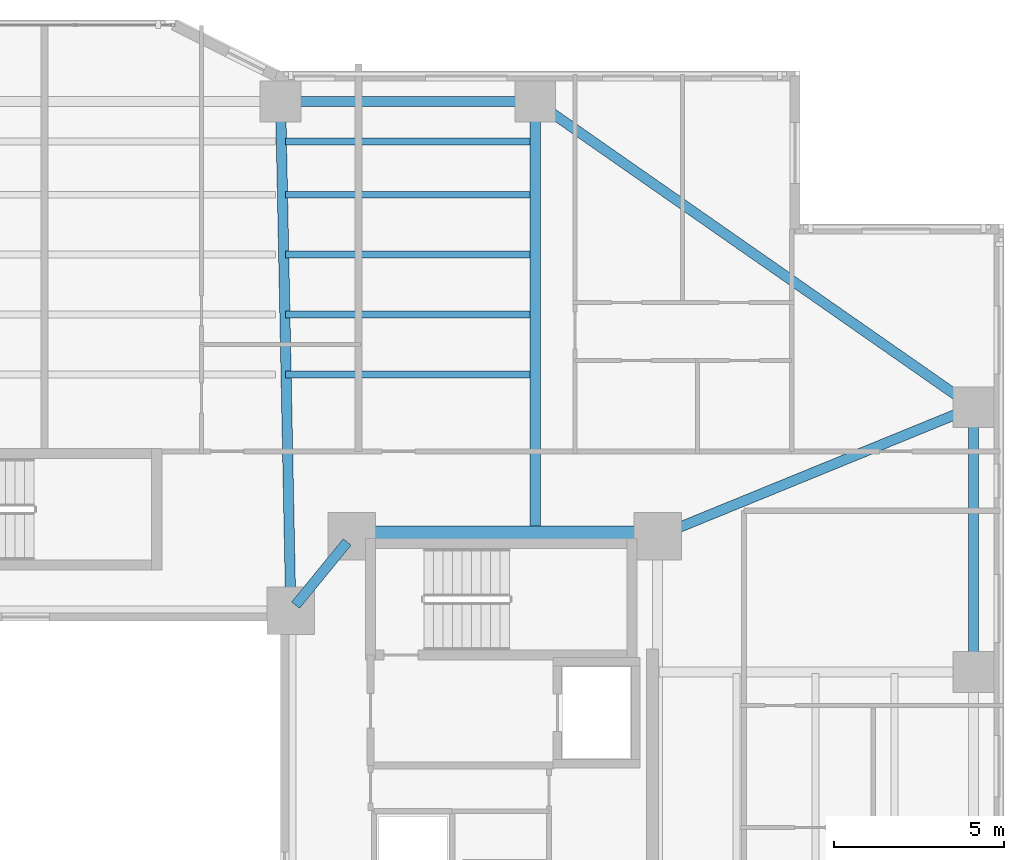
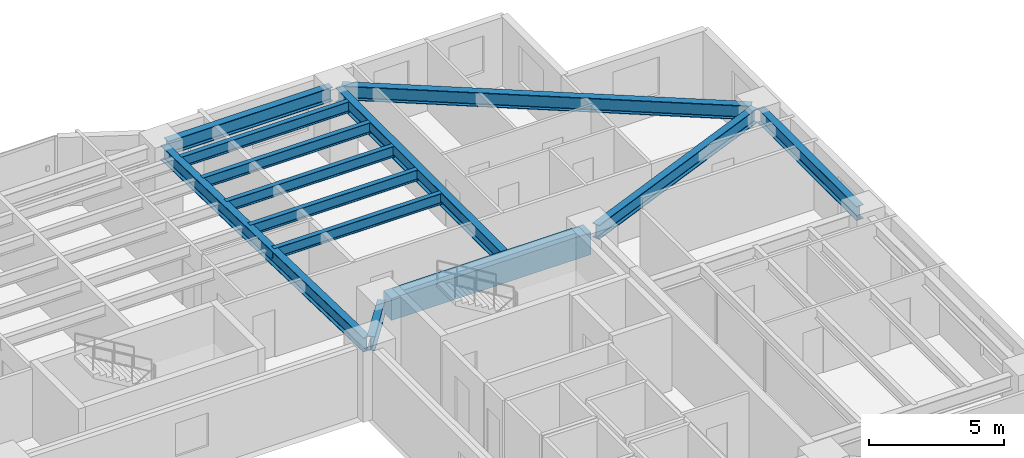
# One storey, part 7 of 21: 13 beams.
"""IFC4 building model written with IfcOpenShell, lengths in metres."""

import ifcopenshell
import ifcopenshell.guid

model = None  # the IFC model being written
_history = None  # IfcOwnerHistory: only IFC2X3 demands one
_inside = {}  # id of a spatial element -> (the spatial element, [elements in it])
_under = {}  # id of a project, library or spatial element -> (it, [spatial elements below it])
_declared = {}  # id of a project -> (the project, [libraries it declares])
_typed = {}  # id of a type object -> (the type object, [elements of that type])
_made_of = {}  # id of a material, layer set ... -> (it, [elements and type objects made of it])


def new_model(schema):
    """Start an empty IFC model of exactly this schema.

    Asked for "IFC4X3", IfcOpenShell would pick the latest addendum, in which some entities
    have other attributes; the version numbers below select the first issue.
    IFC2X3 requires an IfcOwnerHistory on every rooted entity: one is made here for all.
    """
    global model, _history
    if schema == "IFC4X3":
        model = ifcopenshell.file(schema_version=(4, 3, 0, 0))
    else:
        model = ifcopenshell.file(schema=schema)
    _inside.clear()
    _under.clear()
    _declared.clear()
    _typed.clear()
    _made_of.clear()
    _history = None
    if model.schema == "IFC2X3":
        org = make("IfcOrganization", Name="unknown")
        user = make(
            "IfcPersonAndOrganization",
            ThePerson=make("IfcPerson", FamilyName="unknown"),
            TheOrganization=org,
        )
        app = make(
            "IfcApplication",
            ApplicationDeveloper=org,
            Version="unknown",
            ApplicationFullName="unknown",
            ApplicationIdentifier="unknown",
        )
        _history = make(
            "IfcOwnerHistory",
            OwningUser=user,
            OwningApplication=app,
            ChangeAction="ADDED",
            CreationDate=0,
        )
    return model


def make(cls, **values):
    """One entity of the class cls with the attributes given. An attribute that is None is left unset."""
    return model.create_entity(
        cls, **{name: value for name, value in values.items() if value is not None}
    )


def rooted(cls, **values):
    """An entity with a GlobalId (a new one), such as an element, a storey or a relation."""
    return make(cls, GlobalId=ifcopenshell.guid.new(), OwnerHistory=_history, **values)


def si_unit(unit_type, name, prefix=None):
    """IfcSIUnit, for example si_unit("LENGTHUNIT", "METRE", prefix="MILLI")."""
    return make("IfcSIUnit", UnitType=unit_type, Prefix=prefix, Name=name)


def assignment(units):
    """IfcUnitAssignment: the units of a project."""
    return None if units is None else make("IfcUnitAssignment", Units=units)


def point(xyz):
    """IfcCartesianPoint."""
    return None if xyz is None else make("IfcCartesianPoint", Coordinates=xyz)


def direction(xyz):
    """IfcDirection."""
    return None if xyz is None else make("IfcDirection", DirectionRatios=xyz)


def frame(location, z_axis=None, x_axis=None):
    """IfcAxis2Placement3D, a coordinate frame: its origin and axes. An axis left out is left unset."""
    return make(
        "IfcAxis2Placement3D",
        Location=point(location),
        Axis=direction(z_axis),
        RefDirection=direction(x_axis),
    )


def frame_2d(location, x_axis=None):
    """IfcAxis2Placement2D, a coordinate frame in the plane: its origin and x axis."""
    return make(
        "IfcAxis2Placement2D", Location=point(location), RefDirection=direction(x_axis)
    )


def origin():
    """The frame at (0, 0, 0) with its axes left unset."""
    return frame((0.0, 0.0, 0.0))


def origin_2d():
    """The frame at (0, 0) in the plane with its x axis left unset."""
    return frame_2d((0.0, 0.0))


def place(relative_to, where):
    """IfcLocalPlacement: puts the frame where relative to a parent placement (None: the world)."""
    return make(
        "IfcLocalPlacement", PlacementRelTo=relative_to, RelativePlacement=where
    )


def context(
    kind, dimensions, precision=None, world=None, true_north=None, identifier=None
):
    """IfcGeometricRepresentationContext, for example the 3D "Model" context."""
    return make(
        "IfcGeometricRepresentationContext",
        ContextIdentifier=identifier,
        ContextType=kind,
        CoordinateSpaceDimension=dimensions,
        Precision=precision,
        WorldCoordinateSystem=world,
        TrueNorth=true_north,
    )


def subcontext(parent, identifier, kind, view, scale=None):
    """IfcGeometricRepresentationSubContext, for example "Body" below "Model"."""
    return make(
        "IfcGeometricRepresentationSubContext",
        ContextIdentifier=identifier,
        ContextType=kind,
        ParentContext=parent,
        TargetScale=scale,
        TargetView=view,
    )


def project(units=None, contexts=None):
    """IfcProject with its units and contexts."""
    return rooted(
        "IfcProject",
        Name="project",
        RepresentationContexts=contexts,
        UnitsInContext=assignment(units),
    )


def spatial(cls, under=None, at=None, **own):
    """A site, building, storey or space (cls), placed at a placement, below another one or the project."""
    s = rooted(cls, ObjectPlacement=at, **own)
    if under is not None:
        _under.setdefault(under.id(), (under, []))[1].append(s)
    return s


def profile(cls, at=None, kind="AREA", **sizes):
    """A parametric profile (cls). Its sizes go by their IFC names, for example OverallWidth=200.0."""
    return make(cls, ProfileType=kind, Position=at, **sizes)


def rectangle(**sizes):
    """IfcRectangleProfileDef."""
    return profile("IfcRectangleProfileDef", **sizes)


def i_section(**sizes):
    """IfcIShapeProfileDef."""
    return profile("IfcIShapeProfileDef", **sizes)


def extrude(swept, where, along, depth):
    """IfcExtrudedAreaSolid: the profile swept, set in the frame where, extruded along a direction by depth."""
    return make(
        "IfcExtrudedAreaSolid",
        SweptArea=swept,
        Position=where,
        ExtrudedDirection=direction(along),
        Depth=depth,
    )


def shape(context_of_items, identifier, shape_type, items):
    """IfcShapeRepresentation: the items that make up one representation, for example the "Body"."""
    return make(
        "IfcShapeRepresentation",
        ContextOfItems=context_of_items,
        RepresentationIdentifier=identifier,
        RepresentationType=shape_type,
        Items=items,
    )


def material(Name=None, Category=None):
    """IfcMaterial."""
    return make("IfcMaterial", Name=Name, Category=Category)


def material_profile(
    of_material, cross_section, Name=None, Category=None, Priority=None
):
    """IfcMaterialProfile: a cross section and its material."""
    return make(
        "IfcMaterialProfile",
        Name=Name,
        Material=of_material,
        Profile=cross_section,
        Priority=Priority,
        Category=Category,
    )


def profile_set(profiles, Name=None, composite=None):
    """IfcMaterialProfileSet."""
    return make(
        "IfcMaterialProfileSet",
        Name=Name,
        MaterialProfiles=profiles,
        CompositeProfile=composite,
    )


def made_of(thing, what):
    """Note that an element or type object is made of a material, layer set ...; save() writes the relation."""
    if what is not None:
        _made_of.setdefault(what.id(), (what, []))[1].append(thing)
    return thing


def type_object(cls, material=None, **own):
    """A type object (cls), such as IfcWallType, which elements share."""
    return made_of(rooted(cls, **own), material)


def element(
    cls,
    number,
    at=None,
    inside=None,
    cuts=None,
    type_object=None,
    material=None,
    context=None,
    identifier="Body",
    shape_type=None,
    held_by="IfcProductDefinitionShape",
    body=None,
    shapes=None,
    **own,
):
    """One element of the class cls, such as IfcWall. Its Tag is "e" and its number.

    at: its placement. inside: the storey or other place that contains it. cuts: it is an
    opening in that element (IfcRelVoidsElement). A single representation is given by context,
    identifier, shape_type and body (its items); several are given by shapes. held_by: the class
    of the entity that holds the representations. save() writes the other relations.
    """
    e = rooted(cls, Tag="e%d" % number, ObjectPlacement=at, **own)
    if body is not None:
        shapes = [shape(context, identifier, shape_type, body)]
    if shapes is not None:
        e.Representation = make(held_by, Representations=shapes)
    if inside is not None:
        _inside.setdefault(inside.id(), (inside, []))[1].append(e)
    if cuts is not None:
        rooted(
            "IfcRelVoidsElement", RelatingBuildingElement=cuts, RelatedOpeningElement=e
        )
    if type_object is not None:
        _typed.setdefault(type_object.id(), (type_object, []))[1].append(e)
    return made_of(e, material)


def aggregate(whole, parts):
    """IfcRelAggregates: a whole, such as a stair, and the parts it consists of."""
    return rooted("IfcRelAggregates", RelatingObject=whole, RelatedObjects=parts)


def save(model, path):
    """Write the relations noted so far, then the file.

    IfcRelAggregates (storeys below a building ...), IfcRelContainedInSpatialStructure (elements
    in a storey), IfcRelDefinesByType, IfcRelAssociatesMaterial and IfcRelDeclares: one each for
    every whole, place, type object, material and project.
    """
    for whole, parts in _under.values():
        aggregate(whole, parts)
    for where, things in _inside.values():
        rooted(
            "IfcRelContainedInSpatialStructure",
            RelatedElements=things,
            RelatingStructure=where,
        )
    for kind, things in _typed.values():
        rooted("IfcRelDefinesByType", RelatedObjects=things, RelatingType=kind)
    for what, things in _made_of.values():
        rooted("IfcRelAssociatesMaterial", RelatedObjects=things, RelatingMaterial=what)
    for by, libraries in _declared.values():
        rooted("IfcRelDeclares", RelatingContext=by, RelatedDefinitions=libraries)
    model.write(path)


model = new_model("IFC4")

# Units and contexts
model_context = context("Model", 3, precision=1e-05, world=origin(), true_north=direction((0.0, 1.0)))
body_context = subcontext(model_context, "Body", "Model", "MODEL_VIEW")
ifc_project = project(units=[si_unit("LENGTHUNIT", "METRE"), si_unit("AREAUNIT", "SQUARE_METRE"), si_unit("VOLUMEUNIT", "CUBIC_METRE"), si_unit("PLANEANGLEUNIT", "RADIAN"), si_unit("MASSUNIT", "GRAM", prefix="KILO")], contexts=[model_context])

# Site, building, storey
site_placement = place(None, origin())
site = spatial("IfcSite", under=ifc_project, at=site_placement, CompositionType="ELEMENT")
building_placement = place(site_placement, origin())
building = spatial("IfcBuilding", under=site, at=building_placement, Name="Tarnavaz Court Tower", CompositionType="ELEMENT")
storey_placement = place(building_placement, frame((0.0, 0.0, 44.10009765625)))
storey = spatial("IfcBuildingStorey", under=building, at=storey_placement, Name="L11", CompositionType="ELEMENT", Elevation=44.10009765625)

# Beams
ifc_material_1 = material(Name="Concrete C60/75", Category="concrete")
ifc_material_profile_1 = material_profile(ifc_material_1, rectangle(XDim=0.60009765625, YDim=1.0, at=origin_2d()), Name="RC 600X1000")
ifc_profile_set_1 = profile_set([ifc_material_profile_1], Name="Concrete C60/75")
beam_type_1 = type_object("IfcBeamType", Name="BM-CB1000", PredefinedType="LINTEL", material=ifc_profile_set_1)
beam_1_placement = place(storey_placement, frame((18.3798828125, 10.0, 2.599853515625), z_axis=(-1.0, 0.0, 0.0), x_axis=(0.0, -1.0, 0.0)))
element("IfcBeam", 1, at=beam_1_placement, inside=storey, type_object=beam_type_1, Name="L11 Beam IN-CE-NO-CE-NI", PredefinedType="LINTEL", context=body_context, shape_type="SweptSolid", body=[
    extrude(rectangle(XDim=0.60009765625, YDim=1.0, at=origin_2d()), origin(), (0.0, 0.0, 1.0), 8.559814453125),
])
ifc_material_2 = material(Name="Steel S355", Category="steel")
ifc_material_profile_2 = material_profile(ifc_material_2, i_section(OverallWidth=0.300048828125, OverallDepth=0.64990234375, WebThickness=0.01611328125, FlangeThickness=0.031005859375, FilletRadius=0.027099609375, at=origin_2d()), Name="HEB 650")
ifc_profile_set_2 = profile_set([ifc_material_profile_2], Name="Steel S355")
beam_type_2 = type_object("IfcBeamType", Name="BM-G-HEB650", PredefinedType="USERDEFINED", material=ifc_profile_set_2)
beam_2_placement = place(storey_placement, frame((9.460693359375, 9.82958984375, 2.77490234375), z_axis=(-0.633282058357, -0.773921077735, 0.0), x_axis=(0.773921077735, -0.633282058357, 0.0)))
element("IfcBeam", 2, at=beam_2_placement, inside=storey, type_object=beam_type_2, Name="L11 Beam IN-CE-NI-IW-NE", ObjectType="GIRDER", PredefinedType="USERDEFINED", context=body_context, shape_type="SweptSolid", body=[
    extrude(i_section(OverallWidth=0.300048828125, OverallDepth=0.64990234375, WebThickness=0.01611328125, FlangeThickness=0.031005859375, FilletRadius=0.027099609375, at=origin_2d()), origin(), (0.0, 0.0, 1.0), 2.402587890625),
])
beam_3_placement = place(storey_placement, frame((7.795654296875, 8.02001953125, 2.77490234375), z_axis=(-0.020000023066, 0.999799979535, 0.0), x_axis=(-0.999799979535, -0.020000023066, 0.0)))
element("IfcBeam", 3, at=beam_3_placement, inside=storey, type_object=beam_type_2, Name="L11 Beam RG-03", ObjectType="GIRDER", PredefinedType="USERDEFINED", context=body_context, shape_type="SweptSolid", body=[
    extrude(i_section(OverallWidth=0.300048828125, OverallDepth=0.64990234375, WebThickness=0.01611328125, FlangeThickness=0.031005859375, FilletRadius=0.027099609375, at=origin_2d()), origin(), (0.0, 0.0, 1.0), 14.56298828125),
])
beam_4_placement = place(storey_placement, frame((15.0, 10.0400390625, 2.77490234375), z_axis=(0.0, 1.0, 0.0), x_axis=(-1.0, 0.0, 0.0)))
element("IfcBeam", 4, at=beam_4_placement, inside=storey, type_object=beam_type_2, Name="L11 Beam RG-04", ObjectType="GIRDER", PredefinedType="USERDEFINED", context=body_context, shape_type="SweptSolid", body=[
    extrude(i_section(OverallWidth=0.300048828125, OverallDepth=0.64990234375, WebThickness=0.01611328125, FlangeThickness=0.031005859375, FilletRadius=0.027099609375, at=origin_2d()), origin(), (0.0, 0.0, 1.0), 12.5400390625),
])
beam_5_placement = place(storey_placement, frame((18.8037109375, 10.083251953125, 2.77490234375), z_axis=(0.925704761705, 0.378246869329, 0.0), x_axis=(-0.378246869329, 0.925704761705, 0.0)))
element("IfcBeam", 5, at=beam_5_placement, inside=storey, type_object=beam_type_2, Name="L11 Beam RG-12", ObjectType="GIRDER", PredefinedType="USERDEFINED", context=body_context, shape_type="SweptSolid", body=[
    extrude(i_section(OverallWidth=0.300048828125, OverallDepth=0.64990234375, WebThickness=0.01611328125, FlangeThickness=0.031005859375, FilletRadius=0.027099609375, at=origin_2d()), origin(), (0.0, 0.0, 1.0), 9.606201171875),
])
ifc_material_profile_3 = material_profile(ifc_material_2, i_section(OverallWidth=0.199951171875, OverallDepth=0.5, WebThickness=0.01025390625, FlangeThickness=0.01611328125, FilletRadius=0.02099609375, at=origin_2d()), Name="IPE 500")
ifc_profile_set_3 = profile_set([ifc_material_profile_3], Name="Steel S355")
beam_type_3 = type_object("IfcBeamType", Name="BM-J-IPE500", PredefinedType="JOIST", material=ifc_profile_set_3)
for number, where, z_axis, x_axis, name in (
    (6, (7.64990234375, 14.763916015625, 2.849853515625), (1.0, 0.0, 0.0), (0.0, 1.0, 0.0), "L11 Beam JN1-3"),
    (7, (7.64990234375, 16.528076171875, 2.849853515625), (1.0, 0.0, 0.0), (0.0, 1.0, 0.0), "L11 Beam JN2-3"),
    (8, (7.64990234375, 18.2919921875, 2.849853515625), (1.0, 0.0, 0.0), (0.0, 1.0, 0.0), "L11 Beam JN3-3"),
    (9, (7.64990234375, 20.055908203125, 2.849853515625), (1.0, 0.0, 0.0), (0.0, 1.0, 0.0), "L11 Beam JN4-3"),
    (10, (7.64990234375, 21.6240234375, 2.849853515625), (1.0, 0.0, 0.0), (0.0, 1.0, 0.0), "L11 Beam JN5-3"),
):
    element("IfcBeam", number, at=place(storey_placement, frame(where, z_axis=z_axis, x_axis=x_axis)), inside=storey, type_object=beam_type_3, Name=name, PredefinedType="JOIST", context=body_context, shape_type="SweptSolid", body=[
        extrude(i_section(OverallWidth=0.199951171875, OverallDepth=0.5, WebThickness=0.01025390625, FlangeThickness=0.01611328125, FilletRadius=0.02099609375, at=origin_2d()), origin(), (0.0, 0.0, 1.0), 7.2001953125),
    ])
ifc_material_profile_4 = material_profile(ifc_material_2, i_section(OverallWidth=0.300048828125, OverallDepth=0.639892578125, WebThickness=0.013427734375, FlangeThickness=0.02587890625, FilletRadius=0.027099609375, at=origin_2d()), Name="HEA 650")
ifc_profile_set_4 = profile_set([ifc_material_profile_4], Name="Steel S355")
beam_type_4 = type_object("IfcBeamType", Name="BM-SP-HEA650", PredefinedType="SPANDREL", material=ifc_profile_set_4)
beam_6_placement = place(storey_placement, frame((7.719970703125, 22.800048828125, 2.77978515625), z_axis=(1.0, 0.0, 0.0), x_axis=(0.0, 1.0, 0.0)))
element("IfcBeam", 11, at=beam_6_placement, inside=storey, type_object=beam_type_4, Name="L11 Beam PR-PN-3-PN-4", PredefinedType="SPANDREL", context=body_context, shape_type="SweptSolid", body=[
    extrude(i_section(OverallWidth=0.300048828125, OverallDepth=0.639892578125, WebThickness=0.013427734375, FlangeThickness=0.02587890625, FilletRadius=0.027099609375, at=origin_2d()), origin(), (0.0, 0.0, 1.0), 7.06005859375),
])
beam_7_placement = place(storey_placement, frame((27.89990234375, 6.219970703125, 2.77978515625), z_axis=(0.0, 1.0, 0.0), x_axis=(-1.0, 0.0, 0.0)))
element("IfcBeam", 12, at=beam_7_placement, inside=storey, type_object=beam_type_4, Name="L11 Beam PR-PE-3-PE-4", PredefinedType="SPANDREL", context=body_context, shape_type="SweptSolid", body=[
    extrude(i_section(OverallWidth=0.300048828125, OverallDepth=0.639892578125, WebThickness=0.013427734375, FlangeThickness=0.02587890625, FilletRadius=0.027099609375, at=origin_2d()), origin(), (0.0, 0.0, 1.0), 7.360107421875),
])
beam_8_placement = place(storey_placement, frame((15.180419921875, 22.674072265625, 2.77978515625), z_axis=(0.820123643324, -0.572186341729, 0.0), x_axis=(0.572186341729, 0.820123643324, 0.0)))
element("IfcBeam", 13, at=beam_8_placement, inside=storey, type_object=beam_type_4, Name="L11 Beam PR-PN-4-PE-4", PredefinedType="SPANDREL", context=body_context, shape_type="SweptSolid", body=[
    extrude(i_section(OverallWidth=0.300048828125, OverallDepth=0.639892578125, WebThickness=0.013427734375, FlangeThickness=0.02587890625, FilletRadius=0.027099609375, at=origin_2d()), origin(), (0.0, 0.0, 1.0), 15.289306640625),
])

save(model, "model.ifc")
